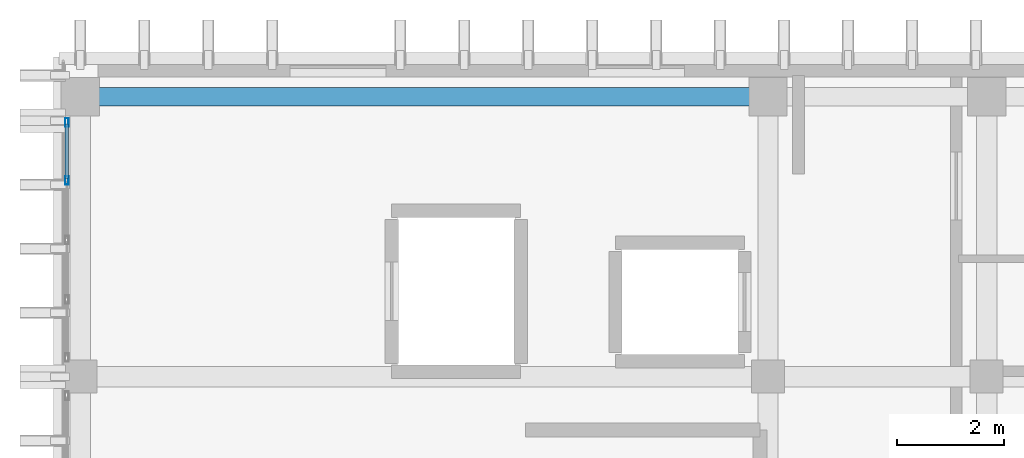
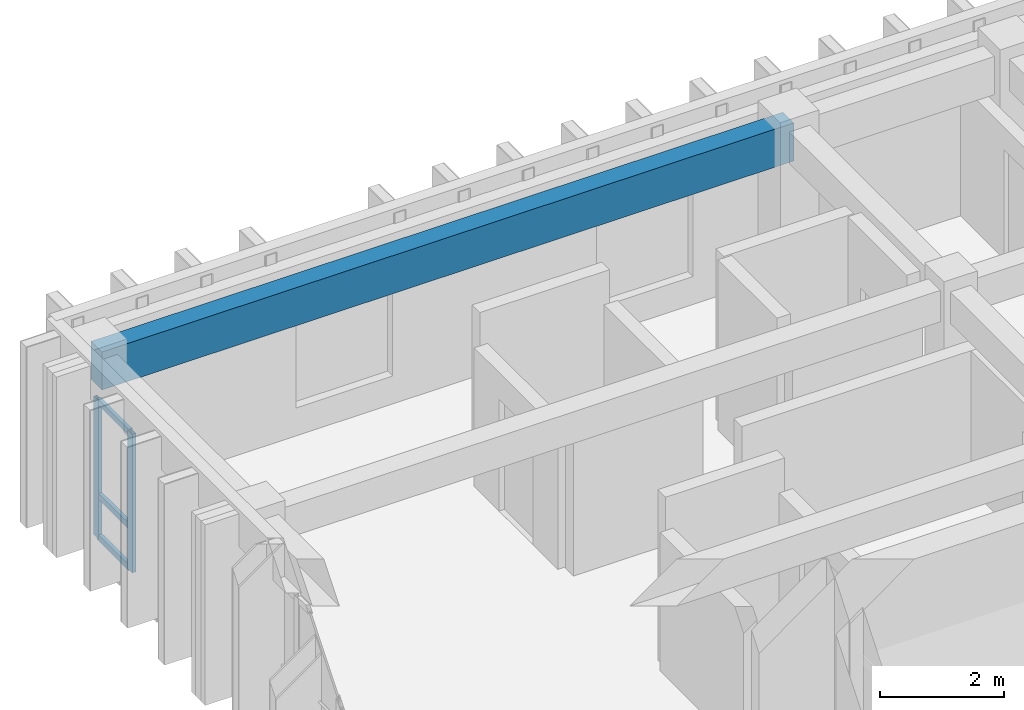
# One storey, part 42 of 59: 5 members, 1 beam, 1 element without a shape of its own.
"""IFC4 building model written with IfcOpenShell, lengths in metres."""

from ifc_helpers import new_model, si_unit, direction, frame, origin, origin_2d, place, context, subcontext, project, spatial, rectangle, hollow_rectangle, extrude, material, layer, layer_set, material_profile, profile_set, type_object, element, aggregate, save


model = new_model("IFC4")

# Units and contexts
model_context = context("Model", 3, precision=1e-05, world=origin(), true_north=direction((0.0, 1.0)))
body_context = subcontext(model_context, "Body", "Model", "MODEL_VIEW")
ifc_project = project(units=[si_unit("LENGTHUNIT", "METRE"), si_unit("AREAUNIT", "SQUARE_METRE"), si_unit("VOLUMEUNIT", "CUBIC_METRE"), si_unit("PLANEANGLEUNIT", "RADIAN"), si_unit("MASSUNIT", "GRAM", prefix="KILO")], contexts=[model_context])

# Site, building, storey
site_placement = place(None, origin())
site = spatial("IfcSite", under=ifc_project, at=site_placement, CompositionType="ELEMENT")
building_placement = place(site_placement, origin())
building = spatial("IfcBuilding", under=site, at=building_placement, Name="Nakhvara Creek Congress Hotel", CompositionType="ELEMENT")
storey_placement = place(building_placement, frame((0.0, 0.0, 31.800048828125)))
storey = spatial("IfcBuildingStorey", under=building, at=storey_placement, Name="L07", CompositionType="ELEMENT", Elevation=31.800048828125)

# Beam
ifc_material_1 = material(Name="Concrete C40/50", Category="concrete")
ifc_material_profile_1 = material_profile(ifc_material_1, rectangle(XDim=0.35009765625, YDim=0.75, at=origin_2d()), Name="RC-SPANDREL 350x750", Category="LoadBearing")
ifc_profile_set_1 = profile_set([ifc_material_profile_1], Name="Concrete C40/50")
beam_type = type_object("IfcBeamType", Name="BM-SPN-350X750", PredefinedType="SPANDREL", material=ifc_profile_set_1)
beam_placement = place(storey_placement, frame((149.449951171875, 125.25, 2.98486328125), z_axis=(1.0, 0.0, 0.0), x_axis=(0.0, 1.0, 0.0)))
element("IfcBeam", 1, at=beam_placement, inside=storey, type_object=beam_type, Name="Beam SP1-L07-2339", PredefinedType="SPANDREL", context=body_context, shape_type="SweptSolid", body=[
    extrude(rectangle(XDim=0.35009765625, YDim=0.75, at=origin_2d()), origin(), (0.0, 0.0, 1.0), 12.900146484375),
])

# Curtain wall, members
ifc_material_2 = material(Name="Bronze-anodised aluminium AW-6063-T6 and double-silver low-E glass", Category="aluminium")
ifc_layer = layer(ifc_material_2, 0.199951171875)
ifc_layer_set = layer_set([ifc_layer], Name="Bronze-anodised aluminium AW-6063-T6 and double-silver low-E glass")
curtain_wall_type = type_object("IfcCurtainWallType", Name="CW-HTL-UNIT", PredefinedType="USERDEFINED", material=ifc_layer_set)
curtain_wall_placement = place(storey_placement, origin())
curtain_wall = element("IfcCurtainWall", 2, at=curtain_wall_placement, inside=storey, type_object=curtain_wall_type, Name="Curtain Wall CW274", ObjectType="UNITISED", PredefinedType="USERDEFINED")
ifc_material_3 = material(Name="Bronze-anodised aluminium AW-6063-T6", Category="aluminium")
ifc_material_profile_2 = material_profile(ifc_material_3, hollow_rectangle(XDim=0.06494140625, YDim=0.159912109375, WallThickness=0.00390625, at=origin_2d()), Name="ALU-MULL 65x160x4", Category="LoadBearing")
ifc_profile_set_2 = profile_set([ifc_material_profile_2], Name="Bronze-anodised aluminium AW-6063-T6")
member_type_1 = type_object("IfcMemberType", Name="CW-MULL-160", PredefinedType="MULLION", material=ifc_profile_set_2)
member_1_placement = place(storey_placement, frame((149.199951171875, 123.68115234375, 0.0), z_axis=(0.0, 0.0, 1.0), x_axis=(-1.0, 0.0, 0.0)))
member_1 = element("IfcMember", 3, at=member_1_placement, type_object=member_type_1, Name="CW274 mullion 4", PredefinedType="MULLION", context=body_context, shape_type="SweptSolid", body=[
    extrude(hollow_rectangle(XDim=0.06494140625, YDim=0.159912109375, WallThickness=0.00390625, at=origin_2d()), origin(), (0.0, 0.0, 1.0), 2.73193359375),
])
member_2_placement = place(storey_placement, frame((149.199951171875, 124.767578125, 0.0), z_axis=(0.0, 0.0, 1.0), x_axis=(-1.0, 0.0, 0.0)))
member_2 = element("IfcMember", 4, at=member_2_placement, type_object=member_type_1, Name="CW274 mullion 5", PredefinedType="MULLION", context=body_context, shape_type="SweptSolid", body=[
    extrude(hollow_rectangle(XDim=0.06494140625, YDim=0.159912109375, WallThickness=0.00390625, at=origin_2d()), origin(), (0.0, 0.0, 1.0), 2.73193359375),
])
ifc_material_profile_3 = material_profile(ifc_material_3, hollow_rectangle(XDim=0.06494140625, YDim=0.1201171875, WallThickness=0.00390625, at=origin_2d()), Name="ALU-TRAN 65x120x4", Category="LoadBearing")
ifc_profile_set_3 = profile_set([ifc_material_profile_3], Name="Bronze-anodised aluminium AW-6063-T6")
member_type_2 = type_object("IfcMemberType", Name="CW-TRAN-120", PredefinedType="USERDEFINED", material=ifc_profile_set_3)
member_3_placement = place(storey_placement, frame((149.199951171875, 123.7138671875, 0.032470703125), z_axis=(0.0, 1.0, 0.0), x_axis=(-1.0, 0.0, 0.0)))
member_3 = element("IfcMember", 5, at=member_3_placement, type_object=member_type_2, Name="CW274 transom 4.1", ObjectType="TRANSOM", PredefinedType="USERDEFINED", context=body_context, shape_type="SweptSolid", body=[
    extrude(hollow_rectangle(XDim=0.06494140625, YDim=0.1201171875, WallThickness=0.00390625, at=origin_2d()), origin(), (0.0, 0.0, 1.0), 1.021240234375),
])
member_4_placement = place(storey_placement, frame((149.199951171875, 123.7138671875, 0.849853515625), z_axis=(0.0, 1.0, 0.0), x_axis=(-1.0, 0.0, 0.0)))
member_4 = element("IfcMember", 6, at=member_4_placement, type_object=member_type_2, Name="CW274 transom 4.2", ObjectType="TRANSOM", PredefinedType="USERDEFINED", context=body_context, shape_type="SweptSolid", body=[
    extrude(hollow_rectangle(XDim=0.06494140625, YDim=0.1201171875, WallThickness=0.00390625, at=origin_2d()), origin(), (0.0, 0.0, 1.0), 1.021240234375),
])
member_5_placement = place(storey_placement, frame((149.199951171875, 123.7138671875, 2.699462890625), z_axis=(0.0, 1.0, 0.0), x_axis=(-1.0, 0.0, 0.0)))
member_5 = element("IfcMember", 7, at=member_5_placement, type_object=member_type_2, Name="CW274 transom 4.3", ObjectType="TRANSOM", PredefinedType="USERDEFINED", context=body_context, shape_type="SweptSolid", body=[
    extrude(hollow_rectangle(XDim=0.06494140625, YDim=0.1201171875, WallThickness=0.00390625, at=origin_2d()), origin(), (0.0, 0.0, 1.0), 1.021240234375),
])
aggregate(curtain_wall, [member_1, member_2, member_3, member_4, member_5])

save(model, "model.ifc")
